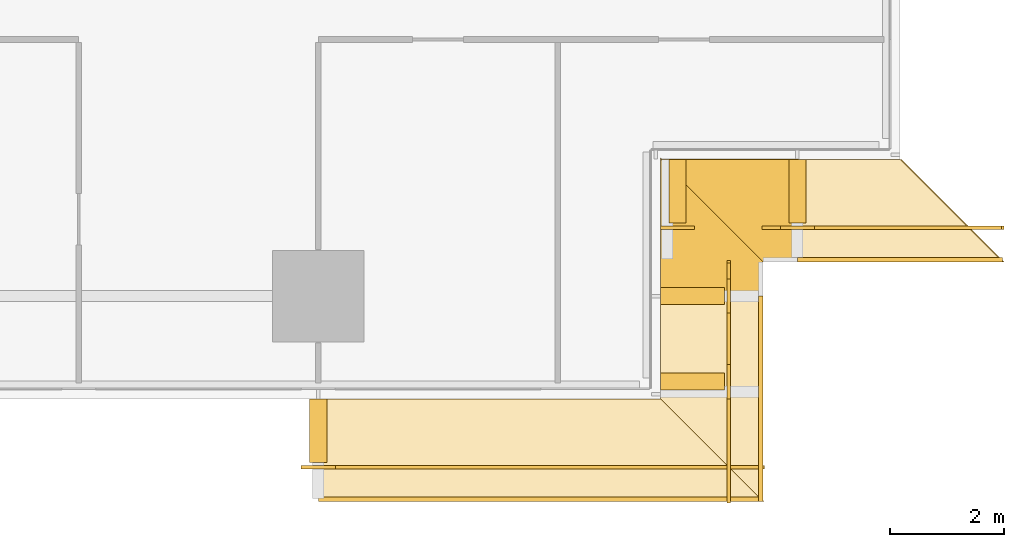
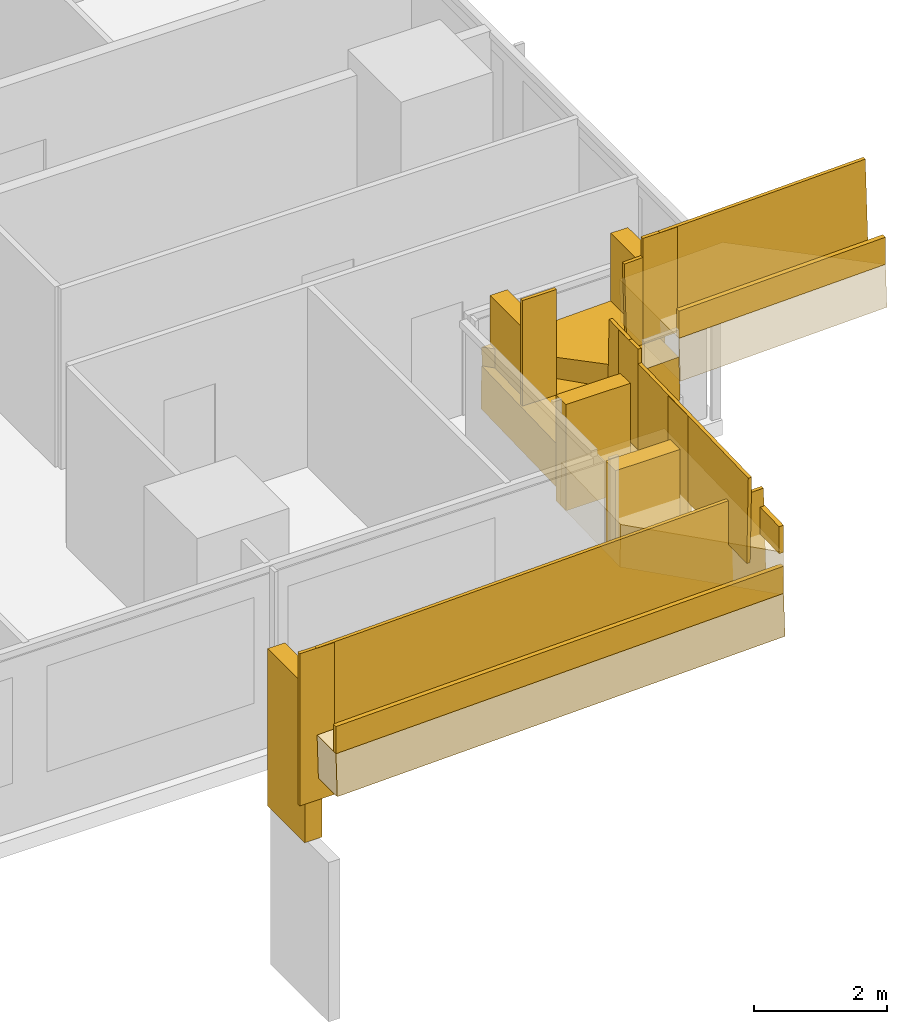
# One storey, part 28 of 30: 13 coverings, 10 railings.
"""IFC4 building model written with IfcOpenShell, lengths in metres."""

from ifc_helpers import new_model, si_unit, direction, frame, origin, origin_2d, place, context, subcontext, project, spatial, polyline, rectangle, outline, extrude, material, layer, layer_set, type_object, element, save


model = new_model("IFC4")

# Units and contexts
model_context = context("Model", 3, precision=1e-05, world=origin(), true_north=direction((0.0, 1.0)))
body_context = subcontext(model_context, "Body", "Model", "MODEL_VIEW")
ifc_project = project(units=[si_unit("LENGTHUNIT", "METRE"), si_unit("AREAUNIT", "SQUARE_METRE"), si_unit("VOLUMEUNIT", "CUBIC_METRE"), si_unit("PLANEANGLEUNIT", "RADIAN"), si_unit("MASSUNIT", "GRAM", prefix="KILO")], contexts=[model_context])

# Site, building, storey
site_placement = place(None, origin())
site = spatial("IfcSite", under=ifc_project, at=site_placement, CompositionType="ELEMENT")
building_placement = place(site_placement, origin())
building = spatial("IfcBuilding", under=site, at=building_placement, Name="Saffron Gate Tower", CompositionType="ELEMENT")
storey_placement = place(building_placement, frame((0.0, 0.0, 237.89990234375)))
storey = spatial("IfcBuildingStorey", under=building, at=storey_placement, Name="L58", CompositionType="ELEMENT", Elevation=237.89990234375)

# Coverings
ifc_material = material(Name="Timber, thermally modified ash", Category="wood")
ifc_layer_1 = layer(ifc_material, 0.800048828125)
ifc_layer_set_1 = layer_set([ifc_layer_1], Name="LD1 ledge timber")
covering_type_1 = type_object("IfcCoveringType", Name="LD1 ledge timber", PredefinedType="CLADDING", material=ifc_layer_set_1)
covering_1_placement = place(storey_placement, frame((117.0, 30.0, 1.0556640625), z_axis=(-0.028807146299, 3.5027307e-05, 0.99958498743), x_axis=(0.999584988043, 3.68e-10, 0.028807146316)))
element("IfcCovering", 1, at=covering_1_placement, inside=storey, type_object=covering_type_1, Name="LEDGE", PredefinedType="CLADDING", context=body_context, shape_type="SweptSolid", body=[
    extrude(outline(polyline([(0.0, 0.0), (6.0024892885105, -2.541098841762901e-21), (7.8032891020589235, -1.8000488321003227), (-6.622937652878055e-10, -1.8000488270207489), (0.0, 0.0)])), origin(), (0.0, 0.0, -1.0), 0.800048828125),
])
covering_2_placement = place(storey_placement, frame((123.0, 30.0, 2.0859375), z_axis=(0.0, -0.028741681402, 0.999586872538), x_axis=(0.0, 0.999586872538, 0.028741681402)))
element("IfcCovering", 2, at=covering_2_placement, inside=storey, type_object=covering_type_1, Name="LEDGE", PredefinedType="CLADDING", context=body_context, shape_type="SweptSolid", body=[
    extrude(outline(polyline([(0.0, 0.0), (1.8007927850779974, 0.0), (1.8007927850779974, -1.800048828125), (-1.8007927850779974, -1.800048828125), (0.0, 0.0)])), origin(), (0.0, 0.0, -1.0), 0.800048828125),
])
covering_3_placement = place(storey_placement, frame((123.0, 31.800048828125, 2.39501953125), z_axis=(-2.8677152e-05, -0.028798988267, 0.999585222706), x_axis=(-6.17e-10, 0.999585223117, 0.028798988279)))
element("IfcCovering", 3, at=covering_3_placement, inside=storey, type_object=covering_type_1, Name="LEDGE", PredefinedType="CLADDING", context=body_context, shape_type="SweptSolid", body=[
    extrude(outline(polyline([(0.0, 0.0), (2.400896693585025, 4.235164736271502e-22), (0.6001039103565923, -1.8000488292351675), (-1.1098572600196767e-09, -1.8000488273848385), (0.0, 0.0)])), origin(), (0.0, 0.0, -1.0), 0.800048828125),
])
covering_4_placement = place(storey_placement, frame((123.0, 34.199951171875, 2.80712890625), z_axis=(-0.028798988267, -2.8677152e-05, 0.999585222706), x_axis=(0.999585223117, -6.17e-10, 0.028798988279)))
element("IfcCovering", 4, at=covering_4_placement, inside=storey, type_object=covering_type_1, Name="LEDGE", PredefinedType="CLADDING", context=body_context, shape_type="SweptSolid", body=[
    extrude(outline(polyline([(0.0, 0.0), (2.400896693585025, -4.235164736271502e-22), (2.400896694694882, -1.8000488273848385), (1.8007927832284332, -1.8000488292351673), (0.0, 0.0)])), origin(), (0.0, 0.0, -1.0), 0.800048828125),
])
covering_5_placement = place(storey_placement, frame((125.39990234375, 34.199951171875, 3.21923828125), z_axis=(-0.028786835276, 4.5191264e-05, 0.999585572161), x_axis=(0.999585573182, 2.041e-09, 0.028786835305)))
element("IfcCovering", 5, at=covering_5_placement, inside=storey, type_object=covering_type_1, Name="LEDGE", PredefinedType="CLADDING", context=body_context, shape_type="SweptSolid", body=[
    extrude(outline(polyline([(0.0, 0.0), (1.8007927832406818, 0.0), (3.601592590842695, -1.8000488373153904), (-3.674631647332522e-09, -1.800048826286925), (0.0, 0.0)])), origin(), (0.0, 0.0, -1.0), 0.800048828125),
])
ifc_layer_2 = layer(ifc_material, 0.080078125)
ifc_layer_set_2 = layer_set([ifc_layer_2], Name="LD2 ledge planter trough")
covering_type_2 = type_object("IfcCoveringType", Name="LD2 ledge planter trough", PredefinedType="CLADDING", material=ifc_layer_set_2)
covering_6_placement = place(storey_placement, frame((117.0, 28.199951171875, 1.0556640625), z_axis=(0.0, -1.0, 0.0), x_axis=(0.999584755248, 0.0, 0.028815222999)))
element("IfcCovering", 6, at=covering_6_placement, inside=storey, type_object=covering_type_2, Name="LEDGE planter trough", PredefinedType="CLADDING", context=body_context, shape_type="SweptSolid", body=[
    extrude(outline(polyline([(0.0, 0.0), (7.803289102975944, 0.0), (7.8176967144752565, 0.4997923776238338), (0.014407611499312996, 0.4997923776238338), (0.0, 0.0)])), origin(), (0.0, 0.0, -1.0), 0.080078125),
])
covering_7_placement = place(storey_placement, frame((124.800048828125, 28.199951171875, 2.0341796875), z_axis=(1.0, 0.0, 0.0), x_axis=(0.0, 0.999586872538, 0.028741681402)))
element("IfcCovering", 7, at=covering_7_placement, inside=storey, type_object=covering_type_2, Name="LEDGE planter trough", PredefinedType="CLADDING", context=body_context, shape_type="SweptSolid", body=[
    extrude(outline(polyline([(0.0, 0.0), (3.601585570155995, 0.0), (3.6159564108570694, 0.49979343626896944), (0.014370840701074394, 0.4997934362689694), (0.0, 0.0)])), origin(), (0.0, 0.0, -1.0), 0.080078125),
])
covering_8_placement = place(storey_placement, frame((125.39990234375, 32.39990234375, 3.21923828125), z_axis=(0.0, -1.0, 0.0), x_axis=(0.99958492274, 0.0, 0.028809412191)))
element("IfcCovering", 8, at=covering_8_placement, inside=storey, type_object=covering_type_2, Name="LEDGE planter trough", PredefinedType="CLADDING", context=body_context, shape_type="SweptSolid", body=[
    extrude(outline(polyline([(0.0, 0.0), (3.601592595435983, 0.0), (3.6159973015313485, 0.4997924613700232), (0.014404706095365512, 0.4997924613700232), (0.0, 0.0)])), origin(), (0.0, 0.0, -1.0), 0.080078125),
])
ifc_layer_3 = layer(ifc_material, 0.300048828125)
ifc_layer_set_3 = layer_set([ifc_layer_3], Name="LD3 ledge riser fin")
covering_type_3 = type_object("IfcCoveringType", Name="LD3 ledge riser fin", PredefinedType="CLADDING", material=ifc_layer_set_3)
covering_9_placement = place(storey_placement, frame((117.0, 29.43994140625, -0.944580078125), z_axis=(0.0, 0.0, 1.0), x_axis=(1.0, 0.0, 0.0)))
element("IfcCovering", 9, at=covering_9_placement, inside=storey, type_object=covering_type_3, Name="LEDGE riser fin", PredefinedType="CLADDING", context=body_context, shape_type="SweptSolid", body=[
    extrude(rectangle(XDim=0.300048828125, YDim=1.1201171875, at=origin_2d()), origin(), (0.0, 0.0, 1.0), 2.900390625),
])
covering_10_placement = place(storey_placement, frame((123.56005859375, 30.300048828125, 0.4287109375), z_axis=(0.0, 0.0, 1.0), x_axis=(0.0, 1.0, 0.0)))
element("IfcCovering", 10, at=covering_10_placement, inside=storey, type_object=covering_type_3, Name="LEDGE riser fin", PredefinedType="CLADDING", context=body_context, shape_type="SweptSolid", body=[
    extrude(rectangle(XDim=0.300048828125, YDim=1.1201171875, at=origin_2d()), origin(), (0.0, 0.0, 1.0), 2.557373046875),
])
covering_11_placement = place(storey_placement, frame((123.56005859375, 31.800048828125, 1.337890625), z_axis=(0.0, 0.0, 1.0), x_axis=(0.0, 1.0, 0.0)))
element("IfcCovering", 11, at=covering_11_placement, inside=storey, type_object=covering_type_3, Name="LEDGE riser fin", PredefinedType="CLADDING", context=body_context, shape_type="SweptSolid", body=[
    extrude(rectangle(XDim=0.300048828125, YDim=1.1201171875, at=origin_2d()), origin(), (0.0, 0.0, 1.0), 1.957275390625),
])
for number, where, z_axis, x_axis, name in (
    (12, (123.300048828125, 33.639892578125, 1.6640625), (0.0, 0.0, 1.0), (1.0, 0.0, 0.0), "LEDGE riser fin"),
    (13, (125.39990234375, 33.639892578125, 2.076171875), (0.0, 0.0, 1.0), (1.0, 0.0, 0.0), "LEDGE riser fin"),
):
    element("IfcCovering", number, at=place(storey_placement, frame(where, z_axis=z_axis, x_axis=x_axis)), inside=storey, type_object=covering_type_3, Name=name, PredefinedType="CLADDING", context=body_context, shape_type="SweptSolid", body=[
        extrude(rectangle(XDim=0.300048828125, YDim=1.1201171875, at=origin_2d()), origin(), (0.0, 0.0, 1.0), 2.04296875),
    ])

# Railings
railing_type = type_object("IfcRailingType", Name="LG1 ledge balustrade", PredefinedType="BALUSTRADE", material=ifc_material)
railing_1_placement = place(storey_placement, frame((117.0, 28.800048828125, 1.0556640625)))
element("IfcRailing", 14, at=railing_1_placement, inside=storey, type_object=railing_type, Name="LEDGE BALUSTRADE", PredefinedType="BALUSTRADE", context=body_context, shape_type="SweptSolid", body=[
    extrude(rectangle(XDim=0.06005859375, YDim=1.60009765625, at=origin_2d()), frame((0.0, 0.0, 0.800048828125), z_axis=(0.999584755248, 0.0, 0.028815222999), x_axis=(0.0, 1.0, 0.0)), (0.0, 0.0, 1.0), 7.80322265625),
])
railing_2_placement = place(storey_placement, frame((116.699951171875, 28.800048828125, -0.14453125)))
element("IfcRailing", 15, at=railing_2_placement, inside=storey, type_object=railing_type, Name="LEDGE BALUSTRADE", PredefinedType="BALUSTRADE", context=body_context, shape_type="SweptSolid", body=[
    extrude(rectangle(XDim=0.06005859375, YDim=2.80029296875, at=origin_2d()), frame((0.0, 0.0, 1.400146484375), z_axis=(1.0, 0.0, 0.0), x_axis=(0.0, 1.0, 0.0)), (0.0, 0.0, 1.0), 0.60009765625),
])
railing_3_placement = place(storey_placement, frame((124.199951171875, 28.199951171875, 2.0341796875)))
element("IfcRailing", 16, at=railing_3_placement, inside=storey, type_object=railing_type, Name="LEDGE BALUSTRADE", PredefinedType="BALUSTRADE", context=body_context, shape_type="SweptSolid", body=[
    extrude(rectangle(XDim=0.06005859375, YDim=1.60009765625, at=origin_2d()), frame((0.0, 0.0, 0.800048828125), z_axis=(0.0, 0.999586872538, 0.028741681402), x_axis=(-1.0, 0.0, 0.0)), (0.0, 0.0, 1.0), 3.6015625),
])
railing_4_placement = place(storey_placement, frame((124.199951171875, 30.0, 1.228515625)))
element("IfcRailing", 17, at=railing_4_placement, inside=storey, type_object=railing_type, Name="LEDGE BALUSTRADE", PredefinedType="BALUSTRADE", context=body_context, shape_type="SweptSolid", body=[
    extrude(rectangle(XDim=0.06005859375, YDim=2.45751953125, at=origin_2d()), frame((0.0, 0.0, 1.228759765625), z_axis=(0.0, 1.0, 0.0), x_axis=(-1.0, 0.0, 0.0)), (0.0, 0.0, 1.0), 0.60009765625),
])
railing_5_placement = place(storey_placement, frame((124.199951171875, 31.800048828125, 2.39501953125)))
element("IfcRailing", 18, at=railing_5_placement, inside=storey, type_object=railing_type, Name="LEDGE BALUSTRADE", PredefinedType="BALUSTRADE", context=body_context, shape_type="SweptSolid", body=[
    extrude(rectangle(XDim=0.06005859375, YDim=1.60009765625, at=origin_2d()), frame((0.0, 0.0, 0.800048828125), z_axis=(0.0, 0.999582742162, 0.028884971385), x_axis=(-1.0, 0.0, 0.0)), (0.0, 0.0, 1.0), 0.60009765625),
])
railing_6_placement = place(storey_placement, frame((124.199951171875, 31.5, 2.1376953125)))
element("IfcRailing", 19, at=railing_6_placement, inside=storey, type_object=railing_type, Name="LEDGE BALUSTRADE", PredefinedType="BALUSTRADE", context=body_context, shape_type="SweptSolid", body=[
    extrude(rectangle(XDim=0.06005859375, YDim=1.857177734375, at=origin_2d()), frame((0.0, 0.0, 0.9287109375), z_axis=(0.0, 1.0, 0.0), x_axis=(-1.0, 0.0, 0.0)), (0.0, 0.0, 1.0), 0.60009765625),
])
railing_7_placement = place(storey_placement, frame((124.800048828125, 33.0, 2.85888671875)))
element("IfcRailing", 20, at=railing_7_placement, inside=storey, type_object=railing_type, Name="LEDGE BALUSTRADE", PredefinedType="BALUSTRADE", context=body_context, shape_type="SweptSolid", body=[
    extrude(rectangle(XDim=0.06005859375, YDim=1.60009765625, at=origin_2d()), frame((0.0, 0.0, 0.800048828125), z_axis=(0.999582742162, 0.0, 0.028884971385), x_axis=(0.0, 1.0, 0.0)), (0.0, 0.0, 1.0), 0.60009765625),
])
railing_8_placement = place(storey_placement, frame((123.0, 33.0, 2.464111328125)))
element("IfcRailing", 21, at=railing_8_placement, inside=storey, type_object=railing_type, Name="LEDGE BALUSTRADE", PredefinedType="BALUSTRADE", context=body_context, shape_type="SweptSolid", body=[
    extrude(rectangle(XDim=0.06005859375, YDim=1.943115234375, at=origin_2d()), frame((0.0, 0.0, 0.9716796875), z_axis=(1.0, 0.0, 0.0), x_axis=(0.0, 1.0, 0.0)), (0.0, 0.0, 1.0), 0.60009765625),
])
railing_9_placement = place(storey_placement, frame((125.39990234375, 33.0, 3.21923828125)))
element("IfcRailing", 22, at=railing_9_placement, inside=storey, type_object=railing_type, Name="LEDGE BALUSTRADE", PredefinedType="BALUSTRADE", context=body_context, shape_type="SweptSolid", body=[
    extrude(rectangle(XDim=0.06005859375, YDim=1.60009765625, at=origin_2d()), frame((0.0, 0.0, 0.800048828125), z_axis=(0.99958492274, 0.0, 0.028809412191), x_axis=(0.0, 1.0, 0.0)), (0.0, 0.0, 1.0), 3.6015625),
])
railing_10_placement = place(storey_placement, frame((125.10009765625, 33.0, 2.876220703125)))
element("IfcRailing", 23, at=railing_10_placement, inside=storey, type_object=railing_type, Name="LEDGE BALUSTRADE", PredefinedType="BALUSTRADE", context=body_context, shape_type="SweptSolid", body=[
    extrude(rectangle(XDim=0.06005859375, YDim=1.943115234375, at=origin_2d()), frame((0.0, 0.0, 0.9716796875), z_axis=(1.0, 0.0, 0.0), x_axis=(0.0, 1.0, 0.0)), (0.0, 0.0, 1.0), 0.599853515625),
])

save(model, "model.ifc")
